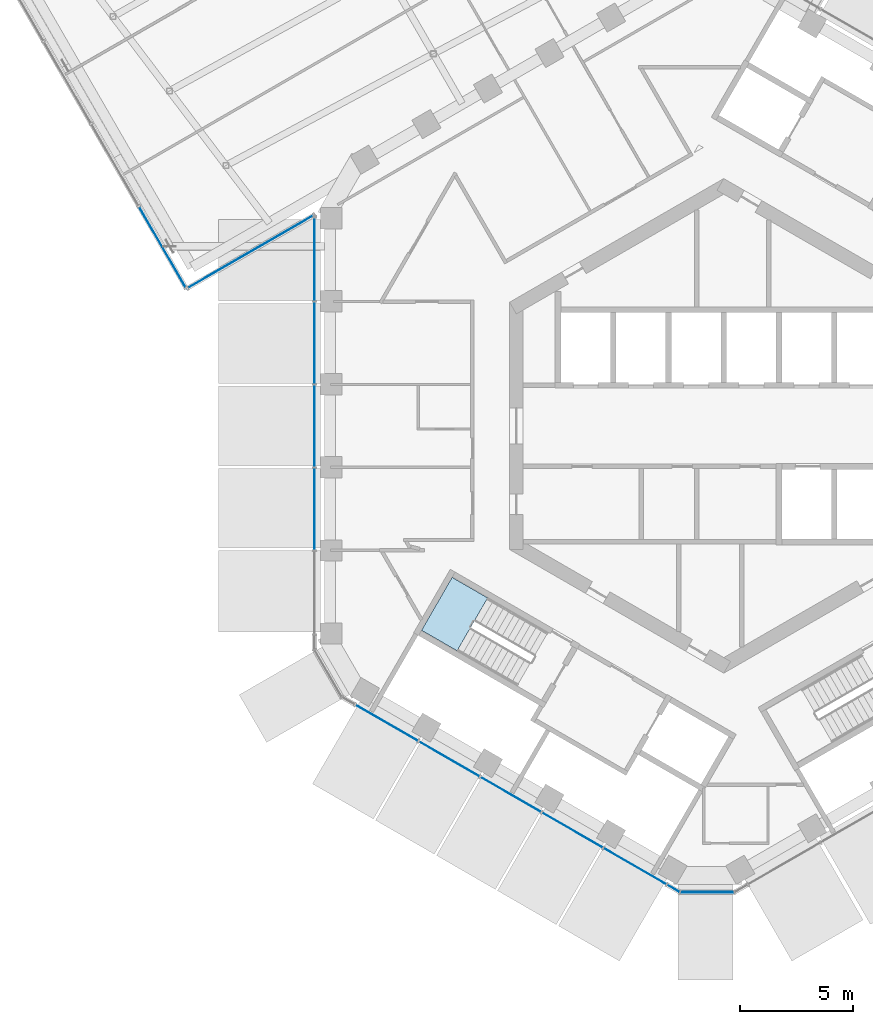
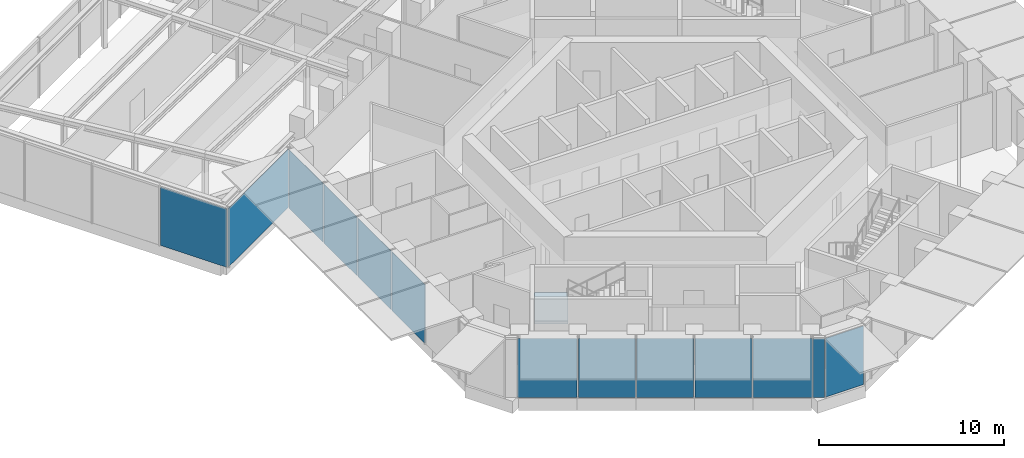
# One storey, part 12 of 27: 13 plates, 1 slab, 6 elements without a shape of their own.
"""IFC4 building model written with IfcOpenShell, lengths in metres."""

from ifc_helpers import new_model, si_unit, direction, frame, origin, origin_2d, place, context, subcontext, project, spatial, polyline, rectangle, outline, extrude, material, layer, layer_set, type_object, element, aggregate, save


model = new_model("IFC4")

# Units and contexts
model_context = context("Model", 3, precision=1e-05, world=origin(), true_north=direction((0.0, 1.0)))
body_context = subcontext(model_context, "Body", "Model", "MODEL_VIEW")
ifc_project = project(units=[si_unit("LENGTHUNIT", "METRE"), si_unit("AREAUNIT", "SQUARE_METRE"), si_unit("VOLUMEUNIT", "CUBIC_METRE"), si_unit("PLANEANGLEUNIT", "RADIAN"), si_unit("MASSUNIT", "GRAM", prefix="KILO")], contexts=[model_context])

# Site, building, storey
site_placement = place(None, origin())
site = spatial("IfcSite", under=ifc_project, at=site_placement, CompositionType="ELEMENT")
building_placement = place(site_placement, origin())
building = spatial("IfcBuilding", under=site, at=building_placement, Name="Ayvan Gate Tower", CompositionType="ELEMENT")
storey_placement = place(building_placement, frame((0.0, 0.0, 194.699951171875)))
storey = spatial("IfcBuildingStorey", under=building, at=storey_placement, Name="L52", CompositionType="ELEMENT", Elevation=194.699951171875)

# Stair, slab
ifc_material_1 = material(Name="Concrete C40/50", Category="concrete")
stair_type = type_object("IfcStairType", Name="ST-EXIT", PredefinedType="HALF_TURN_STAIR", material=ifc_material_1)
stair_placement = place(storey_placement, origin())
stair = element("IfcStair", 1, at=stair_placement, inside=storey, type_object=stair_type, Name="L52 Exit Stair S2", PredefinedType="HALF_TURN_STAIR")
ifc_layer_1 = layer(ifc_material_1, 0.199951171875)
ifc_layer_set_1 = layer_set([ifc_layer_1], Name="Concrete C40/50")
slab_type = type_object("IfcSlabType", Name="SL-LANDING-200", PredefinedType="LANDING", material=ifc_layer_set_1)
slab_placement = place(storey_placement, frame((0.0, 0.0, 1.800048828125)))
slab = element("IfcSlab", 2, at=slab_placement, type_object=slab_type, Name="STS2 landing 1", PredefinedType="LANDING", context=body_context, shape_type="SweptSolid", body=[
    extrude(outline(polyline([(-10.473388671875, -7.630615234375), (-12.049560546875, -6.720458984375), (-13.404541015625, -9.0673828125), (-11.828369140625, -9.9775390625), (-10.473388671875, -7.630615234375)])), origin(), (0.0, 0.0, 1.0), 0.199951171875),
])
aggregate(stair, [slab])

# Curtain wall, plates
ifc_material_2 = material(Name="Bronze anodised aluminium", Category="aluminium")
ifc_layer_2 = layer(ifc_material_2, 0.199951171875)
ifc_layer_set_2 = layer_set([ifc_layer_2], Name="Bronze anodised aluminium")
curtain_wall_type_1 = type_object("IfcCurtainWallType", Name="Stick curtain wall CW-2", PredefinedType="NOTDEFINED", material=ifc_layer_set_2)
curtain_wall_1_placement = place(storey_placement, origin())
curtain_wall_1 = element("IfcCurtainWall", 3, at=curtain_wall_1_placement, inside=storey, type_object=curtain_wall_type_1, Name="Stick curtain wall CW-2 L52", PredefinedType="NOTDEFINED")
ifc_material_3 = material(Name="Clear low-iron laminated glass", Category="glass")
ifc_layer_3 = layer(ifc_material_3, 0.028076171875)
ifc_layer_set_3 = layer_set([ifc_layer_3], Name="Clear low-iron laminated glass")
plate_type_1 = type_object("IfcPlateType", Name="Stick curtain wall CW-2 glass panel", PredefinedType="CURTAIN_PANEL", material=ifc_layer_set_3)
plate_1_placement = place(storey_placement, frame((-18.1533203125, 7.40478515625, 0.0), z_axis=(0.0, 0.0, 1.0), x_axis=(0.0, -1.0, 0.0)))
plate_1 = element("IfcPlate", 4, at=plate_1_placement, type_object=plate_type_1, Name="CW-2 glass panel 1", PredefinedType="CURTAIN_PANEL", context=body_context, shape_type="SweptSolid", body=[
    extrude(rectangle(XDim=3.68701171875, YDim=0.028076171875, at=origin_2d()), origin(), (0.0, 0.0, 1.0), 3.8798828125),
])
plate_2_placement = place(storey_placement, frame((-18.1533203125, 3.684326171875, 0.0), z_axis=(0.0, 0.0, 1.0), x_axis=(0.0, -1.0, 0.0)))
plate_2 = element("IfcPlate", 5, at=plate_2_placement, type_object=plate_type_1, Name="CW-2 glass panel 2", PredefinedType="CURTAIN_PANEL", context=body_context, shape_type="SweptSolid", body=[
    extrude(rectangle(XDim=3.614013671875, YDim=0.028076171875, at=origin_2d()), origin(), (0.0, 0.0, 1.0), 3.8798828125),
])
plate_3_placement = place(storey_placement, frame((-18.1533203125, -0.000244140625, 0.0), z_axis=(0.0, 0.0, 1.0), x_axis=(0.0, -1.0, 0.0)))
plate_3 = element("IfcPlate", 6, at=plate_3_placement, type_object=plate_type_1, Name="CW-2 glass panel 3", PredefinedType="CURTAIN_PANEL", context=body_context, shape_type="SweptSolid", body=[
    extrude(rectangle(XDim=3.614990234375, YDim=0.028076171875, at=origin_2d()), origin(), (0.0, 0.0, 1.0), 3.8798828125),
])
plate_4_placement = place(storey_placement, frame((-18.1533203125, -3.6845703125, 0.0), z_axis=(0.0, 0.0, 1.0), x_axis=(0.0, -1.0, 0.0)))
plate_4 = element("IfcPlate", 7, at=plate_4_placement, type_object=plate_type_1, Name="CW-2 glass panel 4", PredefinedType="CURTAIN_PANEL", context=body_context, shape_type="SweptSolid", body=[
    extrude(rectangle(XDim=3.614013671875, YDim=0.028076171875, at=origin_2d()), origin(), (0.0, 0.0, 1.0), 3.8798828125),
])
aggregate(curtain_wall_1, [plate_1, plate_2, plate_3, plate_4])

curtain_wall_2_placement = place(storey_placement, origin())
curtain_wall_2 = element("IfcCurtainWall", 8, at=curtain_wall_2_placement, inside=storey, type_object=curtain_wall_type_1, Name="Stick curtain wall CW-2 L52", PredefinedType="NOTDEFINED")
plate_5_placement = place(storey_placement, frame((-14.960693359375, -13.170654296875, 0.0), z_axis=(0.0, 0.0, 1.0), x_axis=(0.866025403784, -0.5, 0.0)))
plate_5 = element("IfcPlate", 9, at=plate_5_placement, type_object=plate_type_1, Name="CW-2 glass panel 1", PredefinedType="CURTAIN_PANEL", context=body_context, shape_type="SweptSolid", body=[
    extrude(rectangle(XDim=3.215087890625, YDim=0.028076171875, at=origin_2d()), origin(), (0.0, 0.0, 1.0), 3.8798828125),
])
plate_6_placement = place(storey_placement, frame((-12.173583984375, -14.780029296875, 0.0), z_axis=(0.0, 0.0, 1.0), x_axis=(0.866025403784, -0.5, 0.0)))
plate_6 = element("IfcPlate", 10, at=plate_6_placement, type_object=plate_type_1, Name="CW-2 glass panel 2", PredefinedType="CURTAIN_PANEL", context=body_context, shape_type="SweptSolid", body=[
    extrude(rectangle(XDim=3.08203125, YDim=0.028076171875, at=origin_2d()), origin(), (0.0, 0.0, 1.0), 3.8798828125),
])
plate_7_placement = place(storey_placement, frame((-9.443359375, -16.356201171875, 0.0), z_axis=(0.0, 0.0, 1.0), x_axis=(0.866025403784, -0.5, 0.0)))
plate_7 = element("IfcPlate", 11, at=plate_7_placement, type_object=plate_type_1, Name="CW-2 glass panel 3", PredefinedType="CURTAIN_PANEL", context=body_context, shape_type="SweptSolid", body=[
    extrude(rectangle(XDim=3.0830078125, YDim=0.028076171875, at=origin_2d()), origin(), (0.0, 0.0, 1.0), 3.8798828125),
])
plate_8_placement = place(storey_placement, frame((-6.713134765625, -17.932373046875, 0.0), z_axis=(0.0, 0.0, 1.0), x_axis=(0.866025403784, -0.5, 0.0)))
plate_8 = element("IfcPlate", 12, at=plate_8_placement, type_object=plate_type_1, Name="CW-2 glass panel 4", PredefinedType="CURTAIN_PANEL", context=body_context, shape_type="SweptSolid", body=[
    extrude(rectangle(XDim=3.08203125, YDim=0.028076171875, at=origin_2d()), origin(), (0.0, 0.0, 1.0), 3.8798828125),
])
plate_9_placement = place(storey_placement, frame((-3.92578125, -19.541748046875, 0.0), z_axis=(0.0, 0.0, 1.0), x_axis=(0.866025403784, -0.5, 0.0)))
plate_9 = element("IfcPlate", 13, at=plate_9_placement, type_object=plate_type_1, Name="CW-2 glass panel 5", PredefinedType="CURTAIN_PANEL", context=body_context, shape_type="SweptSolid", body=[
    extrude(rectangle(XDim=3.215087890625, YDim=0.028076171875, at=origin_2d()), origin(), (0.0, 0.0, 1.0), 3.8798828125),
])
aggregate(curtain_wall_2, [plate_5, plate_6, plate_7, plate_8, plate_9])

# Curtain wall, plate
ifc_layer_4 = layer(ifc_material_2, 0.199951171875)
ifc_layer_set_4 = layer_set([ifc_layer_4], Name="Bronze anodised aluminium")
curtain_wall_type_2 = type_object("IfcCurtainWallType", Name="Stick curtain wall CW-4", PredefinedType="NOTDEFINED", material=ifc_layer_set_4)
curtain_wall_3_placement = place(storey_placement, origin())
curtain_wall_3 = element("IfcCurtainWall", 14, at=curtain_wall_3_placement, inside=storey, type_object=curtain_wall_type_2, Name="Stick curtain wall CW-4 L52", PredefinedType="NOTDEFINED")
ifc_material_4 = material(Name="Pale anodised aluminium composite panel", Category="aluminium")
ifc_layer_5 = layer(ifc_material_4, 0.028076171875)
ifc_layer_set_5 = layer_set([ifc_layer_5], Name="Pale anodised aluminium composite panel")
plate_type_2 = type_object("IfcPlateType", Name="Stick curtain wall CW-4 solid panel", PredefinedType="CURTAIN_PANEL", material=ifc_layer_set_5)
plate_10_placement = place(storey_placement, frame((-24.8916015625, 7.91357421875, 0.0), z_axis=(0.0, 0.0, 1.0), x_axis=(0.5, -0.866025403784, 0.0)))
plate_10 = element("IfcPlate", 15, at=plate_10_placement, type_object=plate_type_2, Name="CW-4 solid panel 4", PredefinedType="CURTAIN_PANEL", context=body_context, shape_type="SweptSolid", body=[
    extrude(rectangle(XDim=4.14501953125, YDim=0.028076171875, at=origin_2d()), origin(), (0.0, 0.0, 1.0), 3.860107421875),
])
aggregate(curtain_wall_3, [plate_10])

curtain_wall_4_placement = place(storey_placement, origin())
curtain_wall_4 = element("IfcCurtainWall", 16, at=curtain_wall_4_placement, inside=storey, type_object=curtain_wall_type_2, Name="Stick curtain wall CW-4 L52", PredefinedType="NOTDEFINED")
plate_11_placement = place(storey_placement, frame((-20.9814453125, 7.731689453125, 0.0), z_axis=(0.0, 0.0, 1.0), x_axis=(0.866025403784, 0.5, 0.0)))
plate_11 = element("IfcPlate", 17, at=plate_11_placement, type_object=plate_type_2, Name="CW-4 solid panel 1", PredefinedType="CURTAIN_PANEL", context=body_context, shape_type="SweptSolid", body=[
    extrude(rectangle(XDim=6.510498046875, YDim=0.028076171875, at=origin_2d()), origin(), (0.0, 0.0, 1.0), 3.860107421875),
])
aggregate(curtain_wall_4, [plate_11])

# Curtain wall, plates
ifc_layer_6 = layer(ifc_material_2, 0.199951171875)
ifc_layer_set_6 = layer_set([ifc_layer_6], Name="Bronze anodised aluminium")
curtain_wall_type_3 = type_object("IfcCurtainWallType", Name="Stick curtain wall CW-6", PredefinedType="NOTDEFINED", material=ifc_layer_set_6)
curtain_wall_5_placement = place(storey_placement, origin())
curtain_wall_5 = element("IfcCurtainWall", 18, at=curtain_wall_5_placement, inside=storey, type_object=curtain_wall_type_3, Name="Stick curtain wall CW-6 L52", PredefinedType="NOTDEFINED")
ifc_layer_7 = layer(ifc_material_3, 0.028076171875)
ifc_layer_set_7 = layer_set([ifc_layer_7], Name="Clear low-iron laminated glass")
plate_type_3 = type_object("IfcPlateType", Name="Stick curtain wall CW-6 glass panel", PredefinedType="CURTAIN_PANEL", material=ifc_layer_set_7)
plate_12_placement = place(storey_placement, frame((-2.232666015625, -20.519287109375, 0.0), z_axis=(0.0, 0.0, 1.0), x_axis=(0.866025403784, -0.5, 0.0)))
plate_12 = element("IfcPlate", 19, at=plate_12_placement, type_object=plate_type_3, Name="CW-6 glass panel 1", PredefinedType="CURTAIN_PANEL", context=body_context, shape_type="SweptSolid", body=[
    extrude(rectangle(XDim=0.625, YDim=0.028076171875, at=origin_2d()), origin(), (0.0, 0.0, 1.0), 3.8798828125),
])
plate_13_placement = place(storey_placement, frame((-0.733154296875, -20.68798828125, 0.0), z_axis=(0.0, 0.0, 1.0), x_axis=(1.0, 0.0, 0.0)))
plate_13 = element("IfcPlate", 20, at=plate_13_placement, type_object=plate_type_3, Name="CW-6 glass panel 2", PredefinedType="CURTAIN_PANEL", context=body_context, shape_type="SweptSolid", body=[
    extrude(rectangle(XDim=2.364501953125, YDim=0.028076171875, at=origin_2d()), origin(), (0.0, 0.0, 1.0), 3.8798828125),
])
aggregate(curtain_wall_5, [plate_12, plate_13])

save(model, "model.ifc")
